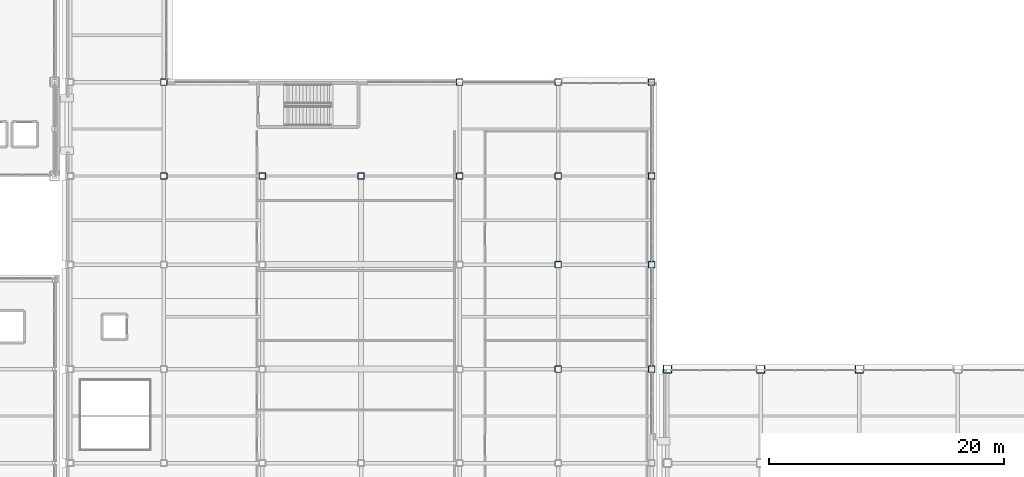
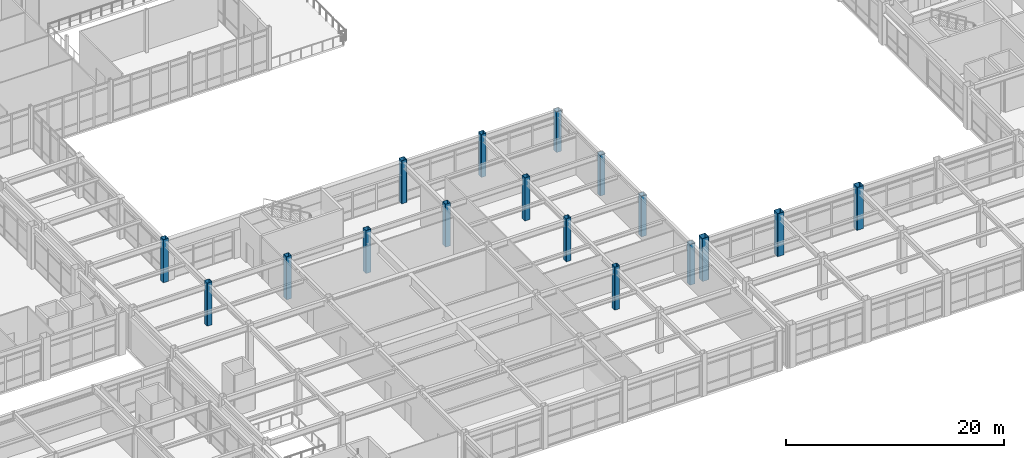
# One storey, part 5 of 154: 17 columns.
"""IFC4 building model written with IfcOpenShell, lengths in metres."""

from ifc_helpers import new_model, si_unit, direction, frame, origin, origin_2d, place, context, subcontext, project, spatial, hollow_rectangle, extrude, material, material_profile, profile_set, type_object, element, save


model = new_model("IFC4")

# Units and contexts
model_context = context("Model", 3, precision=1e-05, world=origin(), true_north=direction((0.0, 1.0)))
body_context = subcontext(model_context, "Body", "Model", "MODEL_VIEW")
ifc_project = project(units=[si_unit("LENGTHUNIT", "METRE"), si_unit("AREAUNIT", "SQUARE_METRE"), si_unit("VOLUMEUNIT", "CUBIC_METRE"), si_unit("PLANEANGLEUNIT", "RADIAN"), si_unit("MASSUNIT", "GRAM", prefix="KILO")], contexts=[model_context])

# Site, building, storey
site_placement = place(None, origin())
site = spatial("IfcSite", under=ifc_project, at=site_placement, CompositionType="ELEMENT")
building_placement = place(site_placement, origin())
building = spatial("IfcBuilding", under=site, at=building_placement, Name="Kazehara Bluff Congress Hotel", CompositionType="ELEMENT")
storey_placement = place(building_placement, frame((0.0, 0.0, 10.199951171875)))
storey = spatial("IfcBuildingStorey", under=building, at=storey_placement, Name="L02", CompositionType="ELEMENT", Elevation=10.199951171875)

# Columns
ifc_material_1 = material(Name="Steel BCR295", Category="steel")
ifc_material_profile_1 = material_profile(ifc_material_1, hollow_rectangle(XDim=0.699951171875, YDim=0.699951171875, WallThickness=0.028076171875, InnerFilletRadius=0.028076171875, OuterFilletRadius=0.055908203125, at=origin_2d()))
ifc_profile_set_1 = profile_set([ifc_material_profile_1], Name="Steel BCR295")
column_type_1 = type_object("IfcColumnType", Name="TP-C-03", PredefinedType="COLUMN", material=ifc_profile_set_1)
for number, where, z_axis, x_axis, name in (
    (1, (110.550048828125, 32.0, 0.0), (0.0, 0.0, 1.0), (1.0, 0.0, 0.0), "L02 column C-03 (110.55,32.00)"),
    (2, (118.5, 32.0, 0.0), (0.0, 0.0, 1.0), (1.0, 0.0, 0.0), "L02 column C-03 (118.50,32.00)"),
    (3, (126.89990234375, 32.0, 0.0), (0.0, 0.0, 1.0), (1.0, 0.0, 0.0), "L02 column C-03 (126.90,32.00)"),
):
    element("IfcColumn", number, at=place(storey_placement, frame(where, z_axis=z_axis, x_axis=x_axis)), inside=storey, type_object=column_type_1, Name=name, PredefinedType="COLUMN", context=body_context, shape_type="SweptSolid", body=[
        extrude(hollow_rectangle(XDim=0.699951171875, YDim=0.699951171875, WallThickness=0.028076171875, InnerFilletRadius=0.028076171875, OuterFilletRadius=0.055908203125, at=origin_2d()), origin(), (0.0, 0.0, 1.0), 4.800048828125),
    ])
ifc_material_2 = material(Name="Steel BCR295", Category="steel")
ifc_material_profile_2 = material_profile(ifc_material_2, hollow_rectangle(XDim=0.550048828125, YDim=0.550048828125, WallThickness=0.02197265625, InnerFilletRadius=0.02197265625, OuterFilletRadius=0.0439453125, at=origin_2d()))
ifc_profile_set_2 = profile_set([ifc_material_profile_2], Name="Steel BCR295")
column_type_2 = type_object("IfcColumnType", Name="TP-C-06", PredefinedType="COLUMN", material=ifc_profile_set_2)
for number, where, z_axis, x_axis, name in (
    (4, (67.64990234375, 48.449951171875, 0.0), (0.0, 0.0, 1.0), (1.0, 0.0, 0.0), "L02 column C-06 (67.65,48.45)"),
    (5, (67.64990234375, 56.449951171875, 0.0), (0.0, 0.0, 1.0), (1.0, 0.0, 0.0), "L02 column C-06 (67.65,56.45)"),
    (6, (76.050048828125, 48.449951171875, 0.0), (0.0, 0.0, 1.0), (1.0, 0.0, 0.0), "L02 column C-06 (76.05,48.45)"),
    (7, (84.449951171875, 48.449951171875, 0.0), (0.0, 0.0, 1.0), (1.0, 0.0, 0.0), "L02 column C-06 (84.45,48.45)"),
    (8, (92.85009765625, 48.449951171875, 0.0), (0.0, 0.0, 1.0), (1.0, 0.0, 0.0), "L02 column C-06 (92.85,48.45)"),
    (9, (92.85009765625, 56.449951171875, 0.0), (0.0, 0.0, 1.0), (1.0, 0.0, 0.0), "L02 column C-06 (92.85,56.45)"),
    (10, (101.25, 32.0, 0.0), (0.0, 0.0, 1.0), (1.0, 0.0, 0.0), "L02 column C-06 (101.25,32.00)"),
    (11, (101.25, 40.89990234375, 0.0), (0.0, 0.0, 1.0), (1.0, 0.0, 0.0), "L02 column C-06 (101.25,40.90)"),
    (12, (101.25, 48.449951171875, 0.0), (0.0, 0.0, 1.0), (1.0, 0.0, 0.0), "L02 column C-06 (101.25,48.45)"),
    (13, (101.25, 56.449951171875, 0.0), (0.0, 0.0, 1.0), (1.0, 0.0, 0.0), "L02 column C-06 (101.25,56.45)"),
):
    element("IfcColumn", number, at=place(storey_placement, frame(where, z_axis=z_axis, x_axis=x_axis)), inside=storey, type_object=column_type_2, Name=name, PredefinedType="COLUMN", context=body_context, shape_type="SweptSolid", body=[
        extrude(hollow_rectangle(XDim=0.550048828125, YDim=0.550048828125, WallThickness=0.02197265625, InnerFilletRadius=0.02197265625, OuterFilletRadius=0.0439453125, at=origin_2d()), origin(), (0.0, 0.0, 1.0), 4.800048828125),
    ])
for number, where, z_axis, x_axis, name in (
    (14, (109.199951171875, 32.0, 0.0), (0.0, 0.0, 1.0), (1.0, 0.0, 0.0), "L02 column C-06 (109.20,32.00)"),
    (15, (109.199951171875, 40.89990234375, 0.0), (0.0, 0.0, 1.0), (1.0, 0.0, 0.0), "L02 column C-06 (109.20,40.90)"),
    (16, (109.199951171875, 48.449951171875, 0.0), (0.0, 0.0, 1.0), (1.0, 0.0, 0.0), "L02 column C-06 (109.20,48.45)"),
    (17, (109.199951171875, 56.449951171875, 0.0), (0.0, 0.0, 1.0), (1.0, 0.0, 0.0), "L02 column C-06 (109.20,56.45)"),
):
    element("IfcColumn", number, at=place(storey_placement, frame(where, z_axis=z_axis, x_axis=x_axis)), inside=storey, type_object=column_type_2, Name=name, PredefinedType="COLUMN", context=body_context, shape_type="SweptSolid", body=[
        extrude(hollow_rectangle(XDim=0.550048828125, YDim=0.550048828125, WallThickness=0.02197265625, InnerFilletRadius=0.02197265625, OuterFilletRadius=0.0439453125, at=origin_2d()), origin(), (0.0, 0.0, 1.0), 4.56005859375),
    ])

save(model, "model.ifc")
